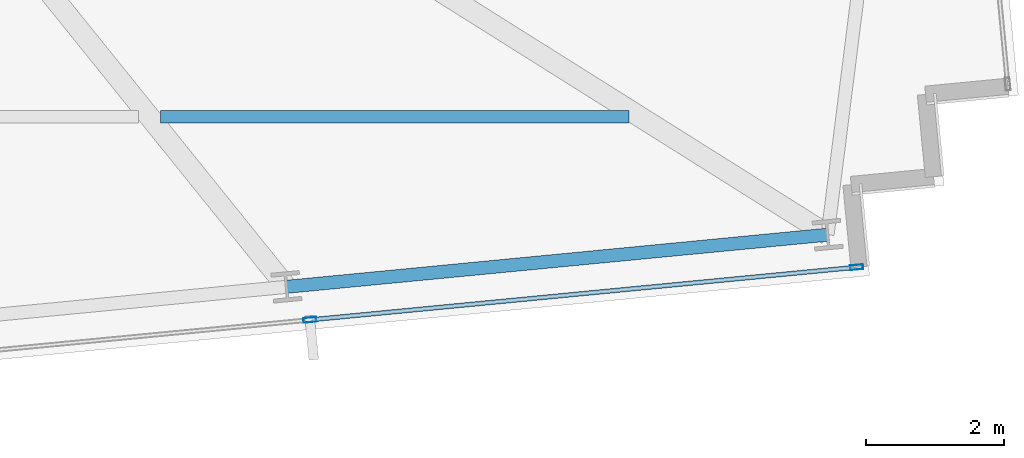
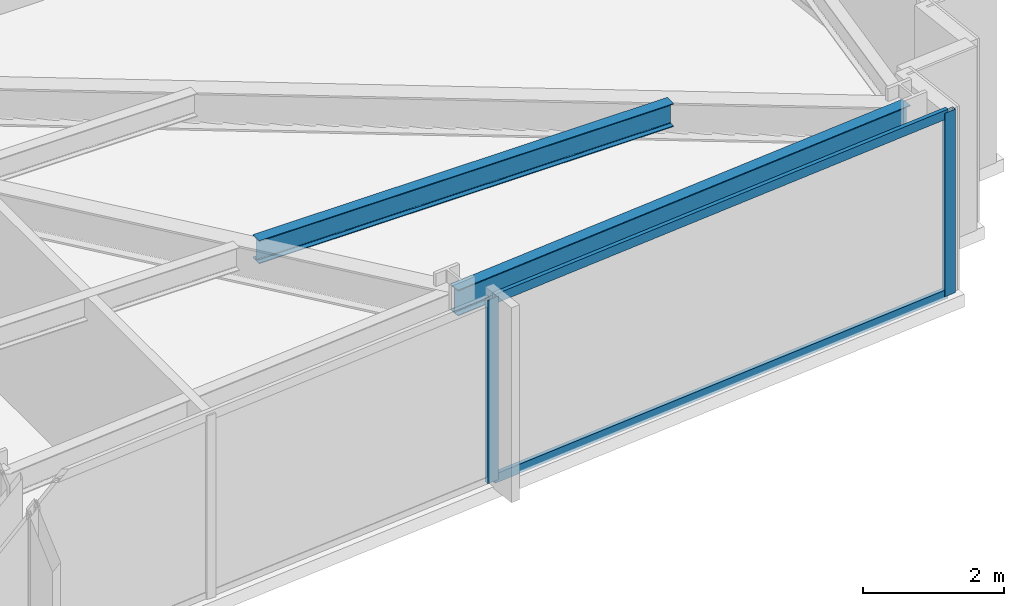
# One storey, part 12 of 33: 4 members, 2 beams, 1 element without a shape of its own.
"""IFC4 building model written with IfcOpenShell, lengths in metres."""

from ifc_helpers import new_model, si_unit, direction, frame, origin, origin_2d, place, context, subcontext, project, spatial, hollow_rectangle, i_section, extrude, material, material_profile, profile_set, type_object, element, aggregate, save


model = new_model("IFC4")

# Units and contexts
model_context = context("Model", 3, precision=1e-05, world=origin(), true_north=direction((0.0, 1.0)))
body_context = subcontext(model_context, "Body", "Model", "MODEL_VIEW")
ifc_project = project(units=[si_unit("LENGTHUNIT", "METRE"), si_unit("AREAUNIT", "SQUARE_METRE"), si_unit("VOLUMEUNIT", "CUBIC_METRE"), si_unit("PLANEANGLEUNIT", "RADIAN"), si_unit("MASSUNIT", "GRAM", prefix="KILO")], contexts=[model_context])

# Site, building, storey
site_placement = place(None, origin())
site = spatial("IfcSite", under=ifc_project, at=site_placement, CompositionType="ELEMENT")
building_placement = place(site_placement, origin())
building = spatial("IfcBuilding", under=site, at=building_placement, Name="Yelkora Congress Tower", CompositionType="ELEMENT")
storey_placement = place(building_placement, frame((0.0, 0.0, 110.10009765625)))
storey = spatial("IfcBuildingStorey", under=building, at=storey_placement, Name="L29", CompositionType="ELEMENT", Elevation=110.10009765625)

# Beams
ifc_material_1 = material(Name="Steel S355J2", Category="steel")
ifc_material_profile_1 = material_profile(ifc_material_1, i_section(OverallWidth=0.179931640625, OverallDepth=0.39990234375, WebThickness=0.008544921875, FlangeThickness=0.013427734375, FilletRadius=0.02099609375, at=origin_2d()), Name="IPE 400")
ifc_profile_set_1 = profile_set([ifc_material_profile_1], Name="Steel S355J2")
beam_type_1 = type_object("IfcBeamType", Name="BM-JOIST-IPE400", PredefinedType="JOIST", material=ifc_profile_set_1)
beam_1_placement = place(storey_placement, frame((65.056396484375, 16.144287109375, 2.97998046875), z_axis=(1.0, 0.0, 0.0), x_axis=(0.0, 1.0, 0.0)))
element("IfcBeam", 1, at=beam_1_placement, inside=storey, type_object=beam_type_1, Name="L29 Composite Floor Joist 10", PredefinedType="JOIST", context=body_context, shape_type="SweptSolid", body=[
    extrude(i_section(OverallWidth=0.179931640625, OverallDepth=0.39990234375, WebThickness=0.008544921875, FlangeThickness=0.013427734375, FilletRadius=0.02099609375, at=origin_2d()), origin(), (0.0, 0.0, 1.0), 6.795166015625),
])
ifc_material_profile_2 = material_profile(ifc_material_1, i_section(OverallWidth=0.18994140625, OverallDepth=0.449951171875, WebThickness=0.009521484375, FlangeThickness=0.0146484375, FilletRadius=0.02099609375, at=origin_2d()), Name="IPE 450")
ifc_profile_set_2 = profile_set([ifc_material_profile_2], Name="Steel S355J2")
beam_type_2 = type_object("IfcBeamType", Name="BM-SPAN-IPE450", PredefinedType="SPANDREL", material=ifc_profile_set_2)
beam_2_placement = place(storey_placement, frame((66.882568359375, 13.67919921875, 2.954833984375), z_axis=(0.995395575667, 0.095852219286, 0.0), x_axis=(-0.095852219286, 0.995395575667, 0.0)))
element("IfcBeam", 2, at=beam_2_placement, inside=storey, type_object=beam_type_2, Name="L29 Perimeter Beam 9", PredefinedType="SPANDREL", context=body_context, shape_type="SweptSolid", body=[
    extrude(i_section(OverallWidth=0.18994140625, OverallDepth=0.449951171875, WebThickness=0.009521484375, FlangeThickness=0.0146484375, FilletRadius=0.02099609375, at=origin_2d()), origin(), (0.0, 0.0, 1.0), 7.8857421875),
])

# Curtain wall, members
ifc_material_2 = material(Name="Anodised aluminium and insulated glass", Category="aluminium")
curtain_wall_type = type_object("IfcCurtainWallType", Name="CW-SYS-B2", PredefinedType="NOTDEFINED", material=ifc_material_2)
curtain_wall_placement = place(storey_placement, origin())
curtain_wall = element("IfcCurtainWall", 3, at=curtain_wall_placement, inside=storey, type_object=curtain_wall_type, Name="L29 Unitised Curtain Wall 20", PredefinedType="NOTDEFINED")
ifc_material_3 = material(Name="Anodised aluminium 6063-T6", Category="aluminium")
ifc_material_profile_3 = material_profile(ifc_material_3, hollow_rectangle(XDim=0.070068359375, YDim=0.18994140625, WallThickness=0.00390625, at=origin_2d()), Name="ALU 70x190x4")
ifc_profile_set_3 = profile_set([ifc_material_profile_3], Name="Anodised aluminium 6063-T6")
member_type_1 = type_object("IfcMemberType", Name="MEM-ML-B2", PredefinedType="MULLION", material=ifc_profile_set_3)
member_1_placement = place(storey_placement, frame((75.154052734375, 13.96337890625, 0.0), z_axis=(0.0, 0.0, 1.0), x_axis=(0.095844345816, -0.995396333816, 0.0)))
member_1 = element("IfcMember", 4, at=member_1_placement, type_object=member_type_1, Name="CW-B2 mullion 1", PredefinedType="MULLION", context=body_context, shape_type="SweptSolid", body=[
    extrude(hollow_rectangle(XDim=0.070068359375, YDim=0.18994140625, WallThickness=0.00390625, at=origin_2d()), origin(), (0.0, 0.0, 1.0), 3.179931640625),
])
member_2_placement = place(storey_placement, frame((67.222900390625, 13.19970703125, 0.0), z_axis=(0.0, 0.0, 1.0), x_axis=(0.095844345816, -0.995396333816, 0.0)))
member_2 = element("IfcMember", 5, at=member_2_placement, type_object=member_type_1, Name="CW-B2 mullion 2", PredefinedType="MULLION", context=body_context, shape_type="SweptSolid", body=[
    extrude(hollow_rectangle(XDim=0.070068359375, YDim=0.18994140625, WallThickness=0.00390625, at=origin_2d()), origin(), (0.0, 0.0, 1.0), 3.179931640625),
])
ifc_material_profile_4 = material_profile(ifc_material_3, hollow_rectangle(XDim=0.06494140625, YDim=0.159912109375, WallThickness=0.00390625, at=origin_2d()), Name="ALU 65x160x4")
ifc_profile_set_4 = profile_set([ifc_material_profile_4], Name="Anodised aluminium 6063-T6")
member_type_2 = type_object("IfcMemberType", Name="MEM-TR-B2", PredefinedType="USERDEFINED", material=ifc_profile_set_4)
member_3_placement = place(storey_placement, frame((75.119140625, 13.9599609375, 0.032470703125), z_axis=(-0.995397978421, -0.095827264157, 0.0), x_axis=(0.095827264157, -0.995397978421, 0.0)))
member_3 = element("IfcMember", 6, at=member_3_placement, type_object=member_type_2, Name="CW-B2 transom 1.1", ObjectType="TRANSOM", PredefinedType="USERDEFINED", context=body_context, shape_type="SweptSolid", body=[
    extrude(hollow_rectangle(XDim=0.06494140625, YDim=0.159912109375, WallThickness=0.00390625, at=origin_2d()), origin(), (0.0, 0.0, 1.0), 7.89794921875),
])
member_4_placement = place(storey_placement, frame((75.119140625, 13.9599609375, 3.1474609375), z_axis=(-0.995397978421, -0.095827264157, 0.0), x_axis=(0.095827264157, -0.995397978421, 0.0)))
member_4 = element("IfcMember", 7, at=member_4_placement, type_object=member_type_2, Name="CW-B2 transom 1.2", ObjectType="TRANSOM", PredefinedType="USERDEFINED", context=body_context, shape_type="SweptSolid", body=[
    extrude(hollow_rectangle(XDim=0.06494140625, YDim=0.159912109375, WallThickness=0.00390625, at=origin_2d()), origin(), (0.0, 0.0, 1.0), 7.89794921875),
])
aggregate(curtain_wall, [member_1, member_2, member_3, member_4])

save(model, "model.ifc")
